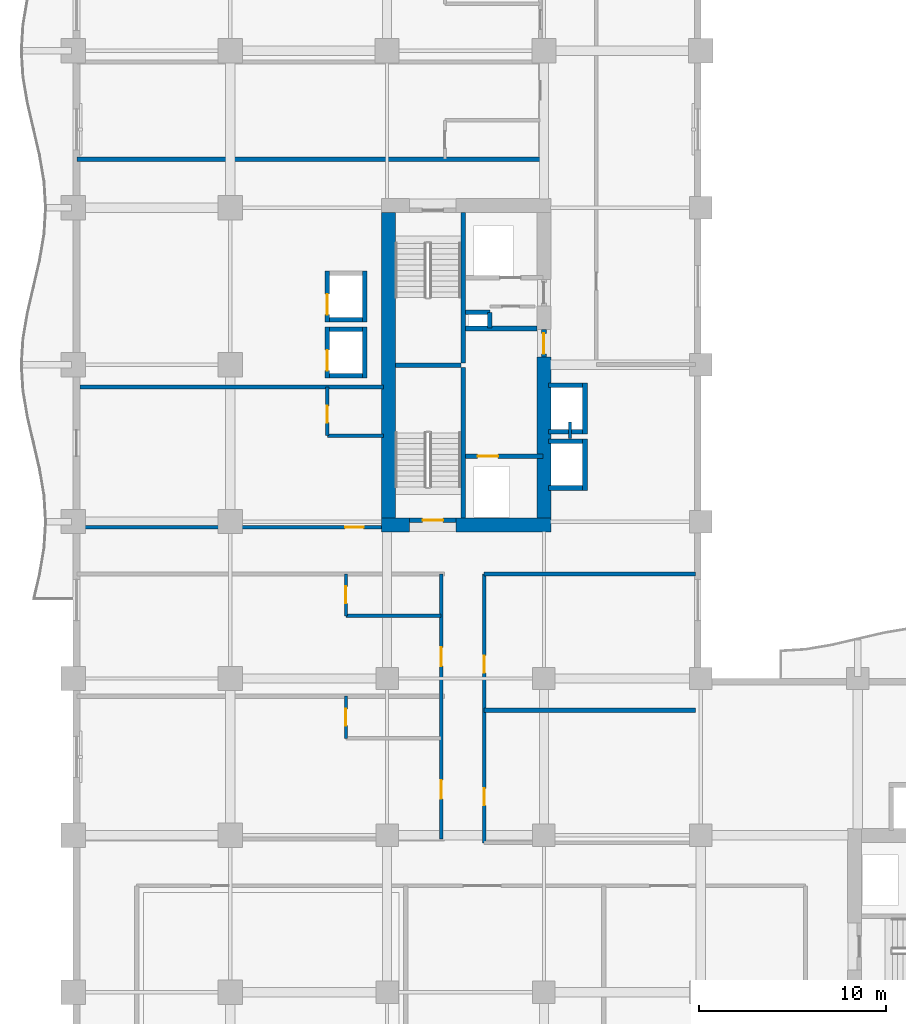
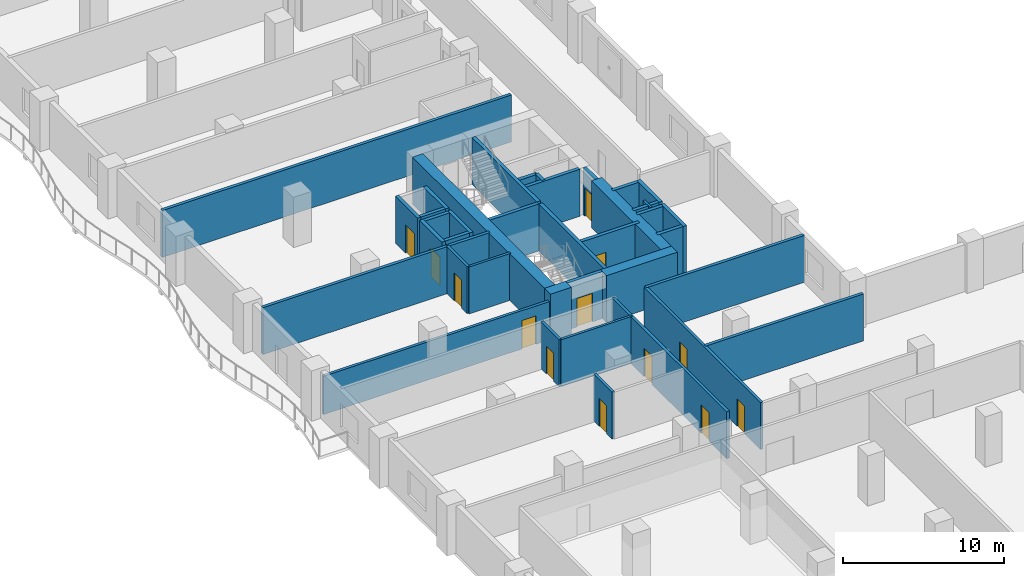
# One storey, part 12 of 24: 39 walls, 13 doors, 13 openings.
"""IFC4 building model written with IfcOpenShell, lengths in metres."""

import ifcopenshell
import ifcopenshell.guid

model = None  # the IFC model being written
_history = None  # IfcOwnerHistory: only IFC2X3 demands one
_inside = {}  # id of a spatial element -> (the spatial element, [elements in it])
_under = {}  # id of a project, library or spatial element -> (it, [spatial elements below it])
_declared = {}  # id of a project -> (the project, [libraries it declares])
_typed = {}  # id of a type object -> (the type object, [elements of that type])
_made_of = {}  # id of a material, layer set ... -> (it, [elements and type objects made of it])


def new_model(schema):
    """Start an empty IFC model of exactly this schema.

    Asked for "IFC4X3", IfcOpenShell would pick the latest addendum, in which some entities
    have other attributes; the version numbers below select the first issue.
    IFC2X3 requires an IfcOwnerHistory on every rooted entity: one is made here for all.
    """
    global model, _history
    if schema == "IFC4X3":
        model = ifcopenshell.file(schema_version=(4, 3, 0, 0))
    else:
        model = ifcopenshell.file(schema=schema)
    _inside.clear()
    _under.clear()
    _declared.clear()
    _typed.clear()
    _made_of.clear()
    _history = None
    if model.schema == "IFC2X3":
        org = make("IfcOrganization", Name="unknown")
        user = make(
            "IfcPersonAndOrganization",
            ThePerson=make("IfcPerson", FamilyName="unknown"),
            TheOrganization=org,
        )
        app = make(
            "IfcApplication",
            ApplicationDeveloper=org,
            Version="unknown",
            ApplicationFullName="unknown",
            ApplicationIdentifier="unknown",
        )
        _history = make(
            "IfcOwnerHistory",
            OwningUser=user,
            OwningApplication=app,
            ChangeAction="ADDED",
            CreationDate=0,
        )
    return model


def make(cls, **values):
    """One entity of the class cls with the attributes given. An attribute that is None is left unset."""
    return model.create_entity(
        cls, **{name: value for name, value in values.items() if value is not None}
    )


def rooted(cls, **values):
    """An entity with a GlobalId (a new one), such as an element, a storey or a relation."""
    return make(cls, GlobalId=ifcopenshell.guid.new(), OwnerHistory=_history, **values)


def si_unit(unit_type, name, prefix=None):
    """IfcSIUnit, for example si_unit("LENGTHUNIT", "METRE", prefix="MILLI")."""
    return make("IfcSIUnit", UnitType=unit_type, Prefix=prefix, Name=name)


def assignment(units):
    """IfcUnitAssignment: the units of a project."""
    return None if units is None else make("IfcUnitAssignment", Units=units)


def point(xyz):
    """IfcCartesianPoint."""
    return None if xyz is None else make("IfcCartesianPoint", Coordinates=xyz)


def direction(xyz):
    """IfcDirection."""
    return None if xyz is None else make("IfcDirection", DirectionRatios=xyz)


def frame(location, z_axis=None, x_axis=None):
    """IfcAxis2Placement3D, a coordinate frame: its origin and axes. An axis left out is left unset."""
    return make(
        "IfcAxis2Placement3D",
        Location=point(location),
        Axis=direction(z_axis),
        RefDirection=direction(x_axis),
    )


def frame_2d(location, x_axis=None):
    """IfcAxis2Placement2D, a coordinate frame in the plane: its origin and x axis."""
    return make(
        "IfcAxis2Placement2D", Location=point(location), RefDirection=direction(x_axis)
    )


def origin():
    """The frame at (0, 0, 0) with its axes left unset."""
    return frame((0.0, 0.0, 0.0))


def place(relative_to, where):
    """IfcLocalPlacement: puts the frame where relative to a parent placement (None: the world)."""
    return make(
        "IfcLocalPlacement", PlacementRelTo=relative_to, RelativePlacement=where
    )


def context(
    kind, dimensions, precision=None, world=None, true_north=None, identifier=None
):
    """IfcGeometricRepresentationContext, for example the 3D "Model" context."""
    return make(
        "IfcGeometricRepresentationContext",
        ContextIdentifier=identifier,
        ContextType=kind,
        CoordinateSpaceDimension=dimensions,
        Precision=precision,
        WorldCoordinateSystem=world,
        TrueNorth=true_north,
    )


def subcontext(parent, identifier, kind, view, scale=None):
    """IfcGeometricRepresentationSubContext, for example "Body" below "Model"."""
    return make(
        "IfcGeometricRepresentationSubContext",
        ContextIdentifier=identifier,
        ContextType=kind,
        ParentContext=parent,
        TargetScale=scale,
        TargetView=view,
    )


def project(units=None, contexts=None):
    """IfcProject with its units and contexts."""
    return rooted(
        "IfcProject",
        Name="project",
        RepresentationContexts=contexts,
        UnitsInContext=assignment(units),
    )


def spatial(cls, under=None, at=None, **own):
    """A site, building, storey or space (cls), placed at a placement, below another one or the project."""
    s = rooted(cls, ObjectPlacement=at, **own)
    if under is not None:
        _under.setdefault(under.id(), (under, []))[1].append(s)
    return s


def profile(cls, at=None, kind="AREA", **sizes):
    """A parametric profile (cls). Its sizes go by their IFC names, for example OverallWidth=200.0."""
    return make(cls, ProfileType=kind, Position=at, **sizes)


def rectangle(**sizes):
    """IfcRectangleProfileDef."""
    return profile("IfcRectangleProfileDef", **sizes)


def extrude(swept, where, along, depth):
    """IfcExtrudedAreaSolid: the profile swept, set in the frame where, extruded along a direction by depth."""
    return make(
        "IfcExtrudedAreaSolid",
        SweptArea=swept,
        Position=where,
        ExtrudedDirection=direction(along),
        Depth=depth,
    )


def shape(context_of_items, identifier, shape_type, items):
    """IfcShapeRepresentation: the items that make up one representation, for example the "Body"."""
    return make(
        "IfcShapeRepresentation",
        ContextOfItems=context_of_items,
        RepresentationIdentifier=identifier,
        RepresentationType=shape_type,
        Items=items,
    )


def material(Name=None, Category=None):
    """IfcMaterial."""
    return make("IfcMaterial", Name=Name, Category=Category)


def layer(
    of_material, thickness, ventilated=None, Name=None, Category=None, Priority=None
):
    """IfcMaterialLayer: one layer of a wall or slab, of a material (None: an air gap)."""
    return make(
        "IfcMaterialLayer",
        Material=of_material,
        LayerThickness=thickness,
        IsVentilated=ventilated,
        Name=Name,
        Category=Category,
        Priority=Priority,
    )


def layer_set(layers, Name=None):
    """IfcMaterialLayerSet."""
    return make("IfcMaterialLayerSet", MaterialLayers=layers, LayerSetName=Name)


def made_of(thing, what):
    """Note that an element or type object is made of a material, layer set ...; save() writes the relation."""
    if what is not None:
        _made_of.setdefault(what.id(), (what, []))[1].append(thing)
    return thing


def type_object(cls, material=None, **own):
    """A type object (cls), such as IfcWallType, which elements share."""
    return made_of(rooted(cls, **own), material)


def element(
    cls,
    number,
    at=None,
    inside=None,
    cuts=None,
    type_object=None,
    material=None,
    context=None,
    identifier="Body",
    shape_type=None,
    held_by="IfcProductDefinitionShape",
    body=None,
    shapes=None,
    **own,
):
    """One element of the class cls, such as IfcWall. Its Tag is "e" and its number.

    at: its placement. inside: the storey or other place that contains it. cuts: it is an
    opening in that element (IfcRelVoidsElement). A single representation is given by context,
    identifier, shape_type and body (its items); several are given by shapes. held_by: the class
    of the entity that holds the representations. save() writes the other relations.
    """
    e = rooted(cls, Tag="e%d" % number, ObjectPlacement=at, **own)
    if body is not None:
        shapes = [shape(context, identifier, shape_type, body)]
    if shapes is not None:
        e.Representation = make(held_by, Representations=shapes)
    if inside is not None:
        _inside.setdefault(inside.id(), (inside, []))[1].append(e)
    if cuts is not None:
        rooted(
            "IfcRelVoidsElement", RelatingBuildingElement=cuts, RelatedOpeningElement=e
        )
    if type_object is not None:
        _typed.setdefault(type_object.id(), (type_object, []))[1].append(e)
    return made_of(e, material)


def fill(opening, filler):
    """IfcRelFillsElement: the door or window that sits in an opening."""
    return rooted(
        "IfcRelFillsElement",
        RelatingOpeningElement=opening,
        RelatedBuildingElement=filler,
    )


def aggregate(whole, parts):
    """IfcRelAggregates: a whole, such as a stair, and the parts it consists of."""
    return rooted("IfcRelAggregates", RelatingObject=whole, RelatedObjects=parts)


def save(model, path):
    """Write the relations noted so far, then the file.

    IfcRelAggregates (storeys below a building ...), IfcRelContainedInSpatialStructure (elements
    in a storey), IfcRelDefinesByType, IfcRelAssociatesMaterial and IfcRelDeclares: one each for
    every whole, place, type object, material and project.
    """
    for whole, parts in _under.values():
        aggregate(whole, parts)
    for where, things in _inside.values():
        rooted(
            "IfcRelContainedInSpatialStructure",
            RelatedElements=things,
            RelatingStructure=where,
        )
    for kind, things in _typed.values():
        rooted("IfcRelDefinesByType", RelatedObjects=things, RelatingType=kind)
    for what, things in _made_of.values():
        rooted("IfcRelAssociatesMaterial", RelatedObjects=things, RelatingMaterial=what)
    for by, libraries in _declared.values():
        rooted("IfcRelDeclares", RelatingContext=by, RelatedDefinitions=libraries)
    model.write(path)


model = new_model("IFC4")

# Units and contexts
model_context = context("Model", 3, precision=1e-05, world=origin(), true_north=direction((0.0, 1.0)))
body_context = subcontext(model_context, "Body", "Model", "MODEL_VIEW")
ifc_project = project(units=[si_unit("LENGTHUNIT", "METRE"), si_unit("AREAUNIT", "SQUARE_METRE"), si_unit("VOLUMEUNIT", "CUBIC_METRE"), si_unit("PLANEANGLEUNIT", "RADIAN"), si_unit("MASSUNIT", "GRAM", prefix="KILO")], contexts=[model_context])

# Site, building, storey
site_placement = place(None, origin())
site = spatial("IfcSite", under=ifc_project, at=site_placement, CompositionType="ELEMENT")
building_placement = place(site_placement, origin())
building = spatial("IfcBuilding", under=site, at=building_placement, Name="Koriwani Terraces Tower", CompositionType="ELEMENT")
storey_placement = place(building_placement, frame((0.0, 0.0, 149.39990234375)))
storey = spatial("IfcBuildingStorey", under=building, at=storey_placement, Name="L36", CompositionType="ELEMENT", Elevation=149.39990234375)

# Walls
ifc_material_1 = material(Name="Concrete C60/75", Category="concrete")
ifc_layer_1 = layer(ifc_material_1, 0.75, Name="Concrete C60/75")
ifc_layer_set_1 = layer_set([ifc_layer_1], Name="Concrete C60/75")
wall_type_1 = type_object("IfcWallType", Name="WALL_CORE_RC_750", PredefinedType="SHEAR", material=ifc_layer_set_1)
wall_1_placement = place(storey_placement, frame((16.5, 41.824951171875, 0.0), z_axis=(0.0, 0.0, 1.0), x_axis=(1.0, 0.0, 0.0)))
element("IfcWall", 1, at=wall_1_placement, inside=storey, type_object=wall_type_1, Name="L36 West Split Core Shear Wall S1", PredefinedType="SHEAR", context=body_context, shape_type="SweptSolid", body=[
    extrude(rectangle(XDim=1.5, YDim=0.75, at=frame_2d((0.75, 0.0))), origin(), (0.0, 0.0, 1.0), 3.550048828125),
])
wall_2_placement = place(storey_placement, frame((20.5, 41.824951171875, 0.0), z_axis=(0.0, 0.0, 1.0), x_axis=(1.0, 0.0, 0.0)))
element("IfcWall", 2, at=wall_2_placement, inside=storey, type_object=wall_type_1, Name="L36 West Split Core Shear Wall S2", PredefinedType="SHEAR", context=body_context, shape_type="SweptSolid", body=[
    extrude(rectangle(XDim=5.074951171875, YDim=0.75, at=frame_2d((2.53759765625, 0.0))), origin(), (0.0, 0.0, 1.0), 3.550048828125),
])
wall_3_placement = place(storey_placement, frame((16.875, 42.199951171875, 0.0), z_axis=(0.0, 0.0, 1.0), x_axis=(0.0, 1.0, 0.0)))
element("IfcWall", 3, at=wall_3_placement, inside=storey, type_object=wall_type_1, Name="L36 West Split Core Shear Wall W1", PredefinedType="SHEAR", context=body_context, shape_type="SweptSolid", body=[
    extrude(rectangle(XDim=16.35009765625, YDim=0.75, at=frame_2d((8.175048828125, 0.0))), origin(), (0.0, 0.0, 1.0), 3.550048828125),
])
wall_4_placement = place(storey_placement, frame((25.199951171875, 42.199951171875, 0.0), z_axis=(0.0, 0.0, 1.0), x_axis=(0.0, 1.0, 0.0)))
element("IfcWall", 4, at=wall_4_placement, inside=storey, type_object=wall_type_1, Name="L36 West Split Core Shear Wall E1", PredefinedType="SHEAR", context=body_context, shape_type="SweptSolid", body=[
    extrude(rectangle(XDim=8.60009765625, YDim=0.75, at=frame_2d((4.300048828125, 0.0))), origin(), (0.0, 0.0, 1.0), 3.550048828125),
])

# Wall, opening, door
ifc_material_2 = material(Name="Autoclaved Cellular Concrete Blockwork", Category="masonry")
ifc_layer_2 = layer(ifc_material_2, 0.199951171875, Name="Autoclaved Cellular Concrete Blockwork")
ifc_layer_set_2 = layer_set([ifc_layer_2], Name="Autoclaved Cellular Concrete Blockwork")
wall_type_2 = type_object("IfcWallType", Name="WALL_CORRIDOR_200", PredefinedType="PARTITIONING", material=ifc_layer_set_2)
wall_5_placement = place(storey_placement, frame((0.35009765625, 41.699951171875, 0.0), z_axis=(0.0, 0.0, 1.0), x_axis=(1.0, 0.0, 0.0)))
wall_5 = element("IfcWall", 5, at=wall_5_placement, inside=storey, type_object=wall_type_2, Name="L36 Interior Wall WREC-WS-L36", PredefinedType="PARTITIONING", context=body_context, shape_type="SweptSolid", body=[
    extrude(rectangle(XDim=16.25, YDim=0.199951171875, at=frame_2d((8.125, 0.0))), origin(), (0.0, 0.0, 1.0), 2.900146484375),
])
opening_1_placement = place(wall_5_placement, frame((14.199951171875, 0.0, 0.0)))
opening_1 = element("IfcOpeningElement", 6, at=opening_1_placement, cuts=wall_5, Name="Opening D-05", PredefinedType="OPENING", context=body_context, shape_type="SweptSolid", body=[
    extrude(rectangle(XDim=1.0, YDim=2.14990234375, at=frame_2d((0.5, 1.074951171875))), frame((0.0, 0.10986328125, 0.0), z_axis=(0.0, -1.0, 0.0), x_axis=(1.0, 0.0, 0.0)), (0.0, 0.0, 1.0), 0.219970703125),
])
ifc_material_3 = material(Name="Architectural Oak Fire Door", Category="wood")
door_type_1 = type_object("IfcDoorType", Name="DOOR_SUITE_ENTRY_1000X2150", OperationType="NOTDEFINED", PredefinedType="DOOR", material=ifc_material_3)
door_1_placement = place(opening_1_placement, origin())
door_1 = element("IfcDoor", 7, at=door_1_placement, inside=storey, type_object=door_type_1, Name="L36 Reclaimed West Suite Door", OperationType="SINGLE_SWING_RIGHT", OverallHeight=2.14990234375, OverallWidth=1.0, PredefinedType="DOOR", context=body_context, shape_type="SweptSolid", body=[
    extrude(rectangle(XDim=1.0, YDim=2.14990234375, at=frame_2d((0.5, 1.074951171875))), frame((0.0, 0.02490234375, 0.0), z_axis=(0.0, -1.0, 0.0), x_axis=(1.0, 0.0, 0.0)), (0.0, 0.0, 1.0), 0.050048828125),
])
fill(opening_1, door_1)

# Wall, openings, doors
wall_6_placement = place(storey_placement, frame((22.0, 24.800048828125, 0.0), z_axis=(0.0, 0.0, 1.0), x_axis=(0.0, 1.0, 0.0)))
wall_6 = element("IfcWall", 8, at=wall_6_placement, inside=storey, type_object=wall_type_2, Name="L36 Interior Wall WIC2-W-L36", PredefinedType="PARTITIONING", context=body_context, shape_type="SweptSolid", body=[
    extrude(rectangle(XDim=14.39990234375, YDim=0.199951171875, at=frame_2d((7.199951171875, 0.0))), origin(), (0.0, 0.0, 1.0), 3.550048828125),
])
opening_2_placement = place(wall_6_placement, frame((2.0, 0.0, 0.0)))
opening_2 = element("IfcOpeningElement", 9, at=opening_2_placement, cuts=wall_6, Name="Opening D-06", PredefinedType="OPENING", context=body_context, shape_type="SweptSolid", body=[
    extrude(rectangle(XDim=0.919921875, YDim=2.10009765625, at=frame_2d((0.4599609375, 1.050048828125))), frame((0.0, 0.10986328125, 0.0), z_axis=(0.0, -1.0, 0.0), x_axis=(1.0, 0.0, 0.0)), (0.0, 0.0, 1.0), 0.219970703125),
])
opening_3_placement = place(wall_6_placement, frame((9.10009765625, 0.0, 0.0)))
opening_3 = element("IfcOpeningElement", 10, at=opening_3_placement, cuts=wall_6, Name="Opening D-06", PredefinedType="OPENING", context=body_context, shape_type="SweptSolid", body=[
    extrude(rectangle(XDim=0.919921875, YDim=2.10009765625, at=frame_2d((0.4599609375, 1.050048828125))), frame((0.0, 0.10986328125, 0.0), z_axis=(0.0, -1.0, 0.0), x_axis=(1.0, 0.0, 0.0)), (0.0, 0.0, 1.0), 0.219970703125),
])
door_type_2 = type_object("IfcDoorType", Name="DOOR_ROOM_INT_920X2100", OperationType="NOTDEFINED", PredefinedType="DOOR", material=ifc_material_3)
door_2_placement = place(opening_2_placement, origin())
door_2 = element("IfcDoor", 11, at=door_2_placement, inside=storey, type_object=door_type_2, Name="L36 Inner Court Salon Door", OperationType="SINGLE_SWING_RIGHT", OverallHeight=2.10009765625, OverallWidth=0.919921875, PredefinedType="DOOR", context=body_context, shape_type="SweptSolid", body=[
    extrude(rectangle(XDim=0.919921875, YDim=2.10009765625, at=frame_2d((0.4599609375, 1.050048828125))), frame((0.0, 0.02490234375, 0.0), z_axis=(0.0, -1.0, 0.0), x_axis=(1.0, 0.0, 0.0)), (0.0, 0.0, 1.0), 0.050048828125),
])
fill(opening_2, door_2)
door_3_placement = place(opening_3_placement, origin())
door_3 = element("IfcDoor", 12, at=door_3_placement, inside=storey, type_object=door_type_2, Name="L36 Inner Court Media Room Door", OperationType="SINGLE_SWING_LEFT", OverallHeight=2.10009765625, OverallWidth=0.919921875, PredefinedType="DOOR", context=body_context, shape_type="SweptSolid", body=[
    extrude(rectangle(XDim=0.919921875, YDim=2.10009765625, at=frame_2d((0.4599609375, 1.050048828125))), frame((0.0, 0.02490234375, 0.0), z_axis=(0.0, -1.0, 0.0), x_axis=(1.0, 0.0, 0.0)), (0.0, 0.0, 1.0), 0.050048828125),
])
fill(opening_3, door_3)

wall_7_placement = place(storey_placement, frame((19.699951171875, 25.0, 0.0), z_axis=(0.0, 0.0, 1.0), x_axis=(0.0, 1.0, 0.0)))
wall_7 = element("IfcWall", 13, at=wall_7_placement, inside=storey, type_object=wall_type_2, Name="L36 Interior Wall WCOR-L36-NW-0", PredefinedType="PARTITIONING", context=body_context, shape_type="SweptSolid", body=[
    extrude(rectangle(XDim=14.199951171875, YDim=0.199951171875, at=frame_2d((7.10009765625, 0.0))), origin(), (0.0, 0.0, 1.0), 3.550048828125),
])
opening_4_placement = place(wall_7_placement, frame((2.159912109375, 0.0, 0.0)))
opening_4 = element("IfcOpeningElement", 14, at=opening_4_placement, cuts=wall_7, Name="Opening D-05", PredefinedType="OPENING", context=body_context, shape_type="SweptSolid", body=[
    extrude(rectangle(XDim=1.0, YDim=2.14990234375, at=frame_2d((0.5, 1.074951171875))), frame((0.0, 0.10986328125, 0.0), z_axis=(0.0, -1.0, 0.0), x_axis=(1.0, 0.0, 0.0)), (0.0, 0.0, 1.0), 0.219970703125),
])
opening_5_placement = place(wall_7_placement, frame((9.260009765625, 0.0, 0.0)))
opening_5 = element("IfcOpeningElement", 15, at=opening_5_placement, cuts=wall_7, Name="Opening D-05", PredefinedType="OPENING", context=body_context, shape_type="SweptSolid", body=[
    extrude(rectangle(XDim=1.0, YDim=2.14990234375, at=frame_2d((0.5, 1.074951171875))), frame((0.0, 0.10986328125, 0.0), z_axis=(0.0, -1.0, 0.0), x_axis=(1.0, 0.0, 0.0)), (0.0, 0.0, 1.0), 0.219970703125),
])
door_4_placement = place(opening_4_placement, origin())
door_4 = element("IfcDoor", 16, at=door_4_placement, inside=storey, type_object=door_type_1, Name="Luxury Hotel Suite 36NW1 Entrance Door", OperationType="SINGLE_SWING_LEFT", OverallHeight=2.14990234375, OverallWidth=1.0, PredefinedType="DOOR", context=body_context, shape_type="SweptSolid", body=[
    extrude(rectangle(XDim=1.0, YDim=2.14990234375, at=frame_2d((0.5, 1.074951171875))), frame((0.0, 0.02490234375, 0.0), z_axis=(0.0, -1.0, 0.0), x_axis=(1.0, 0.0, 0.0)), (0.0, 0.0, 1.0), 0.050048828125),
])
fill(opening_4, door_4)
door_5_placement = place(opening_5_placement, origin())
door_5 = element("IfcDoor", 17, at=door_5_placement, inside=storey, type_object=door_type_1, Name="Luxury Hotel Suite 36NW2 Entrance Door", OperationType="SINGLE_SWING_LEFT", OverallHeight=2.14990234375, OverallWidth=1.0, PredefinedType="DOOR", context=body_context, shape_type="SweptSolid", body=[
    extrude(rectangle(XDim=1.0, YDim=2.14990234375, at=frame_2d((0.5, 1.074951171875))), frame((0.0, 0.02490234375, 0.0), z_axis=(0.0, -1.0, 0.0), x_axis=(1.0, 0.0, 0.0)), (0.0, 0.0, 1.0), 0.050048828125),
])
fill(opening_5, door_5)

# Walls
ifc_layer_3 = layer(ifc_material_2, 0.219970703125, Name="Autoclaved Cellular Concrete Blockwork")
ifc_layer_set_3 = layer_set([ifc_layer_3], Name="Autoclaved Cellular Concrete Blockwork")
wall_type_3 = type_object("IfcWallType", Name="WALL_DEMISING_220", PredefinedType="PARTITIONING", material=ifc_layer_set_3)
wall_8_placement = place(storey_placement, frame((0.35009765625, 49.199951171875, 0.0), z_axis=(0.0, 0.0, 1.0), x_axis=(1.0, 0.0, 0.0)))
element("IfcWall", 18, at=wall_8_placement, inside=storey, type_object=wall_type_3, Name="L36 Interior Wall WREC-WN-L36", PredefinedType="PARTITIONING", context=body_context, shape_type="SweptSolid", body=[
    extrude(rectangle(XDim=16.25, YDim=0.219970703125, at=frame_2d((8.125, 0.0))), origin(), (0.0, 0.0, 1.0), 3.550048828125),
])
for number, where, z_axis, x_axis, name in (
    (19, (22.0, 31.89990234375, 0.0), (0.0, 0.0, 1.0), (1.0, 0.0, 0.0), "L36 Interior Wall WIC2-M-L36"),
    (20, (22.0, 39.199951171875, 0.0), (0.0, 0.0, 1.0), (1.0, 0.0, 0.0), "L36 Interior Wall WIC2-N-L36"),
):
    element("IfcWall", number, at=place(storey_placement, frame(where, z_axis=z_axis, x_axis=x_axis)), inside=storey, type_object=wall_type_3, Name=name, PredefinedType="PARTITIONING", context=body_context, shape_type="SweptSolid", body=[
        extrude(rectangle(XDim=11.300048828125, YDim=0.219970703125, at=frame_2d((5.64990234375, 0.0))), origin(), (0.0, 0.0, 1.0), 3.550048828125),
    ])
wall_9_placement = place(storey_placement, frame((0.199951171875, 61.39990234375, 0.0), z_axis=(0.0, 0.0, 1.0), x_axis=(1.0, 0.0, 0.0)))
element("IfcWall", 21, at=wall_9_placement, inside=storey, type_object=wall_type_3, Name="L36 Interior Wall WDEM-L36-NE-0", PredefinedType="PARTITIONING", context=body_context, shape_type="SweptSolid", body=[
    extrude(rectangle(XDim=24.97998046875, YDim=0.219970703125, at=frame_2d((12.489990234375, 0.0))), origin(), (0.0, 0.0, 1.0), 3.550048828125),
])
ifc_material_4 = material(Name="Fire-Rated Acoustic Gypsum Partition", Category="masonry")
ifc_layer_4 = layer(ifc_material_4, 0.179931640625, Name="Fire-Rated Acoustic Gypsum Partition")
ifc_layer_set_4 = layer_set([ifc_layer_4], Name="Fire-Rated Acoustic Gypsum Partition")
wall_type_4 = type_object("IfcWallType", Name="WALL_PLUMBING_180", PredefinedType="PLUMBINGWALL", material=ifc_layer_set_4)
wall_10_placement = place(storey_placement, frame((13.60009765625, 46.60009765625, 0.0), z_axis=(0.0, 0.0, 1.0), x_axis=(1.0, 0.0, 0.0)))
element("IfcWall", 22, at=wall_10_placement, inside=storey, type_object=wall_type_4, Name="L36 Interior Wall WREC-WB1-L36", PredefinedType="PLUMBINGWALL", context=body_context, shape_type="SweptSolid", body=[
    extrude(rectangle(XDim=3.0, YDim=0.179931640625, at=frame_2d((1.5, 0.0))), origin(), (0.0, 0.0, 1.0), 3.550048828125),
])

# Wall, opening, door
wall_11_placement = place(storey_placement, frame((13.60009765625, 46.60009765625, 0.0), z_axis=(0.0, 0.0, 1.0), x_axis=(0.0, 1.0, 0.0)))
wall_11 = element("IfcWall", 23, at=wall_11_placement, inside=storey, type_object=wall_type_4, Name="L36 Interior Wall WREC-WB2-L36", PredefinedType="PLUMBINGWALL", context=body_context, shape_type="SweptSolid", body=[
    extrude(rectangle(XDim=2.599853515625, YDim=0.179931640625, at=frame_2d((1.2998046875, 0.0))), origin(), (0.0, 0.0, 1.0), 3.550048828125),
])
opening_6_placement = place(wall_11_placement, frame((0.699951171875, 0.0, 0.0)))
opening_6 = element("IfcOpeningElement", 24, at=opening_6_placement, cuts=wall_11, Name="Opening D-07", PredefinedType="OPENING", context=body_context, shape_type="SweptSolid", body=[
    extrude(rectangle(XDim=0.89990234375, YDim=2.10009765625, at=frame_2d((0.449951171875, 1.050048828125))), frame((0.0, 0.10009765625, 0.0), z_axis=(0.0, -1.0, 0.0), x_axis=(1.0, 0.0, 0.0)), (0.0, 0.0, 1.0), 0.199951171875),
])
door_type_3 = type_object("IfcDoorType", Name="DOOR_BATH_INT_900X2100", OperationType="NOTDEFINED", PredefinedType="DOOR", material=ifc_material_3)
door_6_placement = place(opening_6_placement, origin())
door_6 = element("IfcDoor", 25, at=door_6_placement, inside=storey, type_object=door_type_3, Name="L36 Reclaimed Suite En-Suite Door", OperationType="SINGLE_SWING_LEFT", OverallHeight=2.10009765625, OverallWidth=0.89990234375, PredefinedType="DOOR", context=body_context, shape_type="SweptSolid", body=[
    extrude(rectangle(XDim=0.89990234375, YDim=2.10009765625, at=frame_2d((0.449951171875, 1.050048828125))), frame((0.0, 0.02490234375, 0.0), z_axis=(0.0, -1.0, 0.0), x_axis=(1.0, 0.0, 0.0)), (0.0, 0.0, 1.0), 0.050048828125),
])
fill(opening_6, door_6)

wall_12_placement = place(storey_placement, frame((14.60009765625, 30.39990234375, 0.0), z_axis=(0.0, 0.0, 1.0), x_axis=(0.0, 1.0, 0.0)))
wall_12 = element("IfcWall", 26, at=wall_12_placement, inside=storey, type_object=wall_type_4, Name="L36 Interior Wall WBTH1-L36-NW-0", PredefinedType="PLUMBINGWALL", context=body_context, shape_type="SweptSolid", body=[
    extrude(rectangle(XDim=2.25, YDim=0.179931640625, at=frame_2d((1.125, 0.0))), origin(), (0.0, 0.0, 1.0), 3.550048828125),
])
opening_7_placement = place(wall_12_placement, frame((0.675048828125, 0.0, 0.0)))
opening_7 = element("IfcOpeningElement", 27, at=opening_7_placement, cuts=wall_12, Name="Opening D-07", PredefinedType="OPENING", context=body_context, shape_type="SweptSolid", body=[
    extrude(rectangle(XDim=0.89990234375, YDim=2.10009765625, at=frame_2d((0.449951171875, 1.050048828125))), frame((0.0, 0.10009765625, 0.0), z_axis=(0.0, -1.0, 0.0), x_axis=(1.0, 0.0, 0.0)), (0.0, 0.0, 1.0), 0.199951171875),
])
door_7_placement = place(opening_7_placement, origin())
door_7 = element("IfcDoor", 28, at=door_7_placement, inside=storey, type_object=door_type_3, Name="En-Suite Bathroom 36NW1 Door", OperationType="SINGLE_SWING_RIGHT", OverallHeight=2.10009765625, OverallWidth=0.89990234375, PredefinedType="DOOR", context=body_context, shape_type="SweptSolid", body=[
    extrude(rectangle(XDim=0.89990234375, YDim=2.10009765625, at=frame_2d((0.449951171875, 1.050048828125))), frame((0.0, 0.02490234375, 0.0), z_axis=(0.0, -1.0, 0.0), x_axis=(1.0, 0.0, 0.0)), (0.0, 0.0, 1.0), 0.050048828125),
])
fill(opening_7, door_7)

wall_13_placement = place(storey_placement, frame((14.60009765625, 36.949951171875, 0.0), z_axis=(0.0, 0.0, 1.0), x_axis=(0.0, 1.0, 0.0)))
wall_13 = element("IfcWall", 29, at=wall_13_placement, inside=storey, type_object=wall_type_4, Name="L36 Interior Wall WBTH1-L36-NW-1", PredefinedType="PLUMBINGWALL", context=body_context, shape_type="SweptSolid", body=[
    extrude(rectangle(XDim=2.25, YDim=0.179931640625, at=frame_2d((1.125, 0.0))), origin(), (0.0, 0.0, 1.0), 3.550048828125),
])
opening_8_placement = place(wall_13_placement, frame((0.675048828125, 0.0, 0.0)))
opening_8 = element("IfcOpeningElement", 30, at=opening_8_placement, cuts=wall_13, Name="Opening D-07", PredefinedType="OPENING", context=body_context, shape_type="SweptSolid", body=[
    extrude(rectangle(XDim=0.89990234375, YDim=2.10009765625, at=frame_2d((0.449951171875, 1.050048828125))), frame((0.0, 0.10009765625, 0.0), z_axis=(0.0, -1.0, 0.0), x_axis=(1.0, 0.0, 0.0)), (0.0, 0.0, 1.0), 0.199951171875),
])
door_8_placement = place(opening_8_placement, origin())
door_8 = element("IfcDoor", 31, at=door_8_placement, inside=storey, type_object=door_type_3, Name="En-Suite Bathroom 36NW2 Door", OperationType="SINGLE_SWING_RIGHT", OverallHeight=2.10009765625, OverallWidth=0.89990234375, PredefinedType="DOOR", context=body_context, shape_type="SweptSolid", body=[
    extrude(rectangle(XDim=0.89990234375, YDim=2.10009765625, at=frame_2d((0.449951171875, 1.050048828125))), frame((0.0, 0.02490234375, 0.0), z_axis=(0.0, -1.0, 0.0), x_axis=(1.0, 0.0, 0.0)), (0.0, 0.0, 1.0), 0.050048828125),
])
fill(opening_8, door_8)

# Walls
wall_14_placement = place(storey_placement, frame((14.60009765625, 36.949951171875, 0.0), z_axis=(0.0, 0.0, 1.0), x_axis=(1.0, 0.0, 0.0)))
element("IfcWall", 32, at=wall_14_placement, inside=storey, type_object=wall_type_4, Name="L36 Interior Wall WBTH2-L36-NW-1", PredefinedType="PLUMBINGWALL", context=body_context, shape_type="SweptSolid", body=[
    extrude(rectangle(XDim=5.099853515625, YDim=0.179931640625, at=frame_2d((2.5498046875, 0.0))), origin(), (0.0, 0.0, 1.0), 3.550048828125),
])
ifc_material_5 = material(Name="Concrete C40/50", Category="concrete")
ifc_layer_5 = layer(ifc_material_5, 0.25, Name="Concrete C40/50")
ifc_layer_set_5 = layer_set([ifc_layer_5], Name="Concrete C40/50")
wall_type_5 = type_object("IfcWallType", Name="WALL_SHAFT_RATED_250", PredefinedType="SOLIDWALL", material=ifc_layer_set_5)
for number, where, z_axis, x_axis, name in (
    (33, (20.875, 42.199951171875, 0.0), (0.0, 0.0, 1.0), (0.0, 1.0, 0.0), "L36 West Split Core Web Wall MID1"),
    (34, (20.875, 50.5, 0.0), (0.0, 0.0, 1.0), (0.0, 1.0, 0.0), "L36 West Split Core Web Wall MID2"),
):
    element("IfcWall", number, at=place(storey_placement, frame(where, z_axis=z_axis, x_axis=x_axis)), inside=storey, type_object=wall_type_5, Name=name, PredefinedType="SOLIDWALL", context=body_context, shape_type="SweptSolid", body=[
        extrude(rectangle(XDim=8.050048828125, YDim=0.25, at=frame_2d((4.02490234375, 0.0))), origin(), (0.0, 0.0, 1.0), 3.550048828125),
    ])
wall_15_placement = place(storey_placement, frame((17.25, 50.375, 0.0), z_axis=(0.0, 0.0, 1.0), x_axis=(1.0, 0.0, 0.0)))
element("IfcWall", 35, at=wall_15_placement, inside=storey, type_object=wall_type_5, Name="L36 West Split Core Stair Dividing Wall", PredefinedType="SOLIDWALL", context=body_context, shape_type="SweptSolid", body=[
    extrude(rectangle(XDim=3.5, YDim=0.25, at=frame_2d((1.75, 0.0))), origin(), (0.0, 0.0, 1.0), 3.550048828125),
])

# Wall, opening, door
wall_16_placement = place(storey_placement, frame((18.0, 42.074951171875, 0.0), z_axis=(0.0, 0.0, 1.0), x_axis=(1.0, 0.0, 0.0)))
wall_16 = element("IfcWall", 36, at=wall_16_placement, inside=storey, type_object=wall_type_5, Name="L36 Interior Wall WIN-CW-L36-STS", PredefinedType="SOLIDWALL", context=body_context, shape_type="SweptSolid", body=[
    extrude(rectangle(XDim=2.5, YDim=0.25, at=frame_2d((1.25, 0.0))), origin(), (0.0, 0.0, 1.0), 3.550048828125),
])
opening_9_placement = place(wall_16_placement, frame((0.699951171875, 0.0, 0.0)))
opening_9 = element("IfcOpeningElement", 37, at=opening_9_placement, cuts=wall_16, Name="Opening D-03", PredefinedType="OPENING", context=body_context, shape_type="SweptSolid", body=[
    extrude(rectangle(XDim=1.10009765625, YDim=2.14990234375, at=frame_2d((0.550048828125, 1.074951171875))), frame((0.0, 0.135009765625, 0.0), z_axis=(0.0, -1.0, 0.0), x_axis=(1.0, 0.0, 0.0)), (0.0, 0.0, 1.0), 0.27001953125),
])
ifc_material_6 = material(Name="Steel ASTM A572 Grade 50", Category="steel")
door_type_4 = type_object("IfcDoorType", Name="DOOR_STAIR_FIRE_1100X2150", OperationType="NOTDEFINED", PredefinedType="DOOR", material=ifc_material_6)
door_9_placement = place(opening_9_placement, origin())
door_9 = element("IfcDoor", 38, at=door_9_placement, inside=storey, type_object=door_type_4, Name="L36 Exit Stair ST-W1 Door", OperationType="SINGLE_SWING_RIGHT", OverallHeight=2.14990234375, OverallWidth=1.10009765625, PredefinedType="DOOR", context=body_context, shape_type="SweptSolid", body=[
    extrude(rectangle(XDim=1.10009765625, YDim=2.14990234375, at=frame_2d((0.550048828125, 1.074951171875))), frame((0.0, 0.02490234375, 0.0), z_axis=(0.0, -1.0, 0.0), x_axis=(1.0, 0.0, 0.0)), (0.0, 0.0, 1.0), 0.050048828125),
])
fill(opening_9, door_9)

wall_17_placement = place(storey_placement, frame((21.0, 45.5, 0.0), z_axis=(0.0, 0.0, 1.0), x_axis=(1.0, 0.0, 0.0)))
wall_17 = element("IfcWall", 39, at=wall_17_placement, inside=storey, type_object=wall_type_5, Name="L36 Interior Wall WIN-CW-L36-FE", PredefinedType="SOLIDWALL", context=body_context, shape_type="SweptSolid", body=[
    extrude(rectangle(XDim=4.14990234375, YDim=0.25, at=frame_2d((2.074951171875, 0.0))), origin(), (0.0, 0.0, 1.0), 3.550048828125),
])
opening_10_placement = place(wall_17_placement, frame((0.64990234375, 0.0, 0.0)))
opening_10 = element("IfcOpeningElement", 40, at=opening_10_placement, cuts=wall_17, Name="Opening LD-01", PredefinedType="OPENING", context=body_context, shape_type="SweptSolid", body=[
    extrude(rectangle(XDim=1.10009765625, YDim=2.14990234375, at=frame_2d((0.550048828125, 1.074951171875))), frame((0.0, 0.135009765625, 0.0), z_axis=(0.0, -1.0, 0.0), x_axis=(1.0, 0.0, 0.0)), (0.0, 0.0, 1.0), 0.27001953125),
])
door_type_5 = type_object("IfcDoorType", Name="DOOR_LIFT_LANDING_1100X2200", OperationType="NOTDEFINED", PredefinedType="DOOR", material=ifc_material_6)
door_10_placement = place(opening_10_placement, origin())
door_10 = element("IfcDoor", 41, at=door_10_placement, inside=storey, type_object=door_type_5, Name="L36 Firefighting Lift FE-01 Landing Door", OperationType="SLIDING_TO_LEFT", OverallHeight=2.14990234375, OverallWidth=1.10009765625, PredefinedType="DOOR", context=body_context, shape_type="SweptSolid", body=[
    extrude(rectangle(XDim=1.10009765625, YDim=2.14990234375, at=frame_2d((0.550048828125, 1.074951171875))), frame((0.0, 0.02490234375, 0.0), z_axis=(0.0, -1.0, 0.0), x_axis=(1.0, 0.0, 0.0)), (0.0, 0.0, 1.0), 0.050048828125),
])
fill(opening_10, door_10)

wall_18_placement = place(storey_placement, frame((25.199951171875, 50.800048828125, 0.0), z_axis=(0.0, 0.0, 1.0), x_axis=(0.0, 1.0, 0.0)))
wall_18 = element("IfcWall", 42, at=wall_18_placement, inside=storey, type_object=wall_type_5, Name="L36 Interior Wall WIN-CW-L36-EP", PredefinedType="SOLIDWALL", context=body_context, shape_type="SweptSolid", body=[
    extrude(rectangle(XDim=1.47998046875, YDim=0.25, at=frame_2d((0.739990234375, 0.0))), origin(), (0.0, 0.0, 1.0), 3.550048828125),
])
opening_11_placement = place(wall_18_placement, frame((0.179931640625, 0.0, 0.0)))
opening_11 = element("IfcOpeningElement", 43, at=opening_11_placement, cuts=wall_18, Name="Opening D-03", PredefinedType="OPENING", context=body_context, shape_type="SweptSolid", body=[
    extrude(rectangle(XDim=1.10009765625, YDim=2.14990234375, at=frame_2d((0.550048828125, 1.074951171875))), frame((0.0, 0.135009765625, 0.0), z_axis=(0.0, -1.0, 0.0), x_axis=(1.0, 0.0, 0.0)), (0.0, 0.0, 1.0), 0.27001953125),
])
door_11_placement = place(opening_11_placement, origin())
door_11 = element("IfcDoor", 44, at=door_11_placement, inside=storey, type_object=door_type_4, Name="L36 West Firefighting Lobby Door", OperationType="SINGLE_SWING_RIGHT", OverallHeight=2.14990234375, OverallWidth=1.10009765625, PredefinedType="DOOR", context=body_context, shape_type="SweptSolid", body=[
    extrude(rectangle(XDim=1.10009765625, YDim=2.14990234375, at=frame_2d((0.550048828125, 1.074951171875))), frame((0.0, 0.02490234375, 0.0), z_axis=(0.0, -1.0, 0.0), x_axis=(1.0, 0.0, 0.0)), (0.0, 0.0, 1.0), 0.050048828125),
])
fill(opening_11, door_11)

# Walls
wall_19_placement = place(storey_placement, frame((21.0, 52.340087890625, 0.0), z_axis=(0.0, 0.0, 1.0), x_axis=(1.0, 0.0, 0.0)))
element("IfcWall", 45, at=wall_19_placement, inside=storey, type_object=wall_type_5, Name="L36 Interior Wall WIN-CW-L36-FFN", PredefinedType="SOLIDWALL", context=body_context, shape_type="SweptSolid", body=[
    extrude(rectangle(XDim=3.824951171875, YDim=0.25, at=frame_2d((1.91259765625, 0.0))), origin(), (0.0, 0.0, 1.0), 3.550048828125),
])
wall_20_placement = place(storey_placement, frame((21.0, 53.199951171875, 0.0), z_axis=(0.0, 0.0, 1.0), x_axis=(1.0, 0.0, 0.0)))
element("IfcWall", 46, at=wall_20_placement, inside=storey, type_object=wall_type_5, Name="L36 Interior Wall WIN-CW-L36-RS1", PredefinedType="SOLIDWALL", context=body_context, shape_type="SweptSolid", body=[
    extrude(rectangle(XDim=1.300048828125, YDim=0.25, at=frame_2d((0.64990234375, 0.0))), origin(), (0.0, 0.0, 1.0), 3.550048828125),
])
wall_21_placement = place(storey_placement, frame((22.300048828125, 52.360107421875, 0.0), z_axis=(0.0, 0.0, 1.0), x_axis=(0.0, 1.0, 0.0)))
element("IfcWall", 47, at=wall_21_placement, inside=storey, type_object=wall_type_5, Name="L36 Interior Wall WIN-CW-L36-RS2", PredefinedType="SOLIDWALL", context=body_context, shape_type="SweptSolid", body=[
    extrude(rectangle(XDim=0.83984375, YDim=0.25, at=frame_2d((0.419921875, 0.0))), origin(), (0.0, 0.0, 1.0), 3.550048828125),
])

# Wall, opening, door
wall_22_placement = place(storey_placement, frame((13.60009765625, 49.675048828125, 0.0), z_axis=(0.0, 0.0, 1.0), x_axis=(0.0, 1.0, 0.0)))
wall_22 = element("IfcWall", 48, at=wall_22_placement, inside=storey, type_object=wall_type_5, Name="L36 Interior Wall WIN-LF-PE-M1-L36-F", PredefinedType="SOLIDWALL", context=body_context, shape_type="SweptSolid", body=[
    extrude(rectangle(XDim=2.75, YDim=0.25, at=frame_2d((1.375, 0.0))), origin(), (0.0, 0.0, 1.0), 3.550048828125),
])
opening_12_placement = place(wall_22_placement, frame((0.39990234375, 0.0, 0.0)))
opening_12 = element("IfcOpeningElement", 49, at=opening_12_placement, cuts=wall_22, Name="Opening LD-01", PredefinedType="OPENING", context=body_context, shape_type="SweptSolid", body=[
    extrude(rectangle(XDim=1.10009765625, YDim=2.14990234375, at=frame_2d((0.550048828125, 1.074951171875))), frame((0.0, 0.135009765625, 0.0), z_axis=(0.0, -1.0, 0.0), x_axis=(1.0, 0.0, 0.0)), (0.0, 0.0, 1.0), 0.27001953125),
])
door_12_placement = place(opening_12_placement, origin())
door_12 = element("IfcDoor", 50, at=door_12_placement, inside=storey, type_object=door_type_5, Name="L36 Passenger Lift PE-M1 Landing Door", OperationType="SLIDING_TO_LEFT", OverallHeight=2.14990234375, OverallWidth=1.10009765625, PredefinedType="DOOR", context=body_context, shape_type="SweptSolid", body=[
    extrude(rectangle(XDim=1.10009765625, YDim=2.14990234375, at=frame_2d((0.550048828125, 1.074951171875))), frame((0.0, 0.02490234375, 0.0), z_axis=(0.0, -1.0, 0.0), x_axis=(1.0, 0.0, 0.0)), (0.0, 0.0, 1.0), 0.050048828125),
])
fill(opening_12, door_12)

# Walls
wall_23_placement = place(storey_placement, frame((15.60009765625, 49.675048828125, 0.0), z_axis=(0.0, 0.0, 1.0), x_axis=(0.0, 1.0, 0.0)))
element("IfcWall", 51, at=wall_23_placement, inside=storey, type_object=wall_type_5, Name="L36 Interior Wall WIN-LF-PE-M1-L36-B", PredefinedType="SOLIDWALL", context=body_context, shape_type="SweptSolid", body=[
    extrude(rectangle(XDim=2.75, YDim=0.25, at=frame_2d((1.375, 0.0))), origin(), (0.0, 0.0, 1.0), 3.550048828125),
])
for number, where, z_axis, x_axis, name in (
    (52, (13.72509765625, 49.800048828125, 0.0), (0.0, 0.0, 1.0), (1.0, 0.0, 0.0), "L36 Interior Wall WIN-LF-PE-M1-L36-S"),
    (53, (13.72509765625, 52.300048828125, 0.0), (0.0, 0.0, 1.0), (1.0, 0.0, 0.0), "L36 Interior Wall WIN-LF-PE-M1-L36-N"),
):
    element("IfcWall", number, at=place(storey_placement, frame(where, z_axis=z_axis, x_axis=x_axis)), inside=storey, type_object=wall_type_5, Name=name, PredefinedType="SOLIDWALL", context=body_context, shape_type="SweptSolid", body=[
        extrude(rectangle(XDim=1.75, YDim=0.25, at=frame_2d((0.875, 0.0))), origin(), (0.0, 0.0, 1.0), 3.550048828125),
    ])

# Wall, opening, door
wall_24_placement = place(storey_placement, frame((13.60009765625, 52.675048828125, 0.0), z_axis=(0.0, 0.0, 1.0), x_axis=(0.0, 1.0, 0.0)))
wall_24 = element("IfcWall", 54, at=wall_24_placement, inside=storey, type_object=wall_type_5, Name="L36 Interior Wall WIN-LF-PE-M2-L36-F", PredefinedType="SOLIDWALL", context=body_context, shape_type="SweptSolid", body=[
    extrude(rectangle(XDim=2.75, YDim=0.25, at=frame_2d((1.375, 0.0))), origin(), (0.0, 0.0, 1.0), 3.550048828125),
])
opening_13_placement = place(wall_24_placement, frame((0.39990234375, 0.0, 0.0)))
opening_13 = element("IfcOpeningElement", 55, at=opening_13_placement, cuts=wall_24, Name="Opening LD-01", PredefinedType="OPENING", context=body_context, shape_type="SweptSolid", body=[
    extrude(rectangle(XDim=1.10009765625, YDim=2.14990234375, at=frame_2d((0.550048828125, 1.074951171875))), frame((0.0, 0.135009765625, 0.0), z_axis=(0.0, -1.0, 0.0), x_axis=(1.0, 0.0, 0.0)), (0.0, 0.0, 1.0), 0.27001953125),
])
door_13_placement = place(opening_13_placement, origin())
door_13 = element("IfcDoor", 56, at=door_13_placement, inside=storey, type_object=door_type_5, Name="L36 Passenger Lift PE-M2 Landing Door", OperationType="SLIDING_TO_LEFT", OverallHeight=2.14990234375, OverallWidth=1.10009765625, PredefinedType="DOOR", context=body_context, shape_type="SweptSolid", body=[
    extrude(rectangle(XDim=1.10009765625, YDim=2.14990234375, at=frame_2d((0.550048828125, 1.074951171875))), frame((0.0, 0.02490234375, 0.0), z_axis=(0.0, -1.0, 0.0), x_axis=(1.0, 0.0, 0.0)), (0.0, 0.0, 1.0), 0.050048828125),
])
fill(opening_13, door_13)

# Walls
wall_25_placement = place(storey_placement, frame((15.60009765625, 52.675048828125, 0.0), z_axis=(0.0, 0.0, 1.0), x_axis=(0.0, 1.0, 0.0)))
element("IfcWall", 57, at=wall_25_placement, inside=storey, type_object=wall_type_5, Name="L36 Interior Wall WIN-LF-PE-M2-L36-B", PredefinedType="SOLIDWALL", context=body_context, shape_type="SweptSolid", body=[
    extrude(rectangle(XDim=2.75, YDim=0.25, at=frame_2d((1.375, 0.0))), origin(), (0.0, 0.0, 1.0), 3.550048828125),
])
wall_26_placement = place(storey_placement, frame((13.72509765625, 52.800048828125, 0.0), z_axis=(0.0, 0.0, 1.0), x_axis=(1.0, 0.0, 0.0)))
element("IfcWall", 58, at=wall_26_placement, inside=storey, type_object=wall_type_5, Name="L36 Interior Wall WIN-LF-PE-M2-L36-S", PredefinedType="SOLIDWALL", context=body_context, shape_type="SweptSolid", body=[
    extrude(rectangle(XDim=1.75, YDim=0.25, at=frame_2d((0.875, 0.0))), origin(), (0.0, 0.0, 1.0), 3.550048828125),
])
wall_27_placement = place(storey_placement, frame((27.39990234375, 43.675048828125, 0.0), z_axis=(0.0, 0.0, 1.0), x_axis=(0.0, 1.0, 0.0)))
element("IfcWall", 59, at=wall_27_placement, inside=storey, type_object=wall_type_5, Name="L36 Interior Wall WIN-LF-PE-H1-L36-F", PredefinedType="SOLIDWALL", context=body_context, shape_type="SweptSolid", body=[
    extrude(rectangle(XDim=2.75, YDim=0.25, at=frame_2d((1.375, 0.0))), origin(), (0.0, 0.0, 1.0), 3.550048828125),
])
for number, where, z_axis, x_axis, name in (
    (60, (25.449951171875, 43.800048828125, 0.0), (0.0, 0.0, 1.0), (1.0, 0.0, 0.0), "L36 Interior Wall WIN-LF-PE-H1-L36-S"),
    (61, (25.449951171875, 46.300048828125, 0.0), (0.0, 0.0, 1.0), (1.0, 0.0, 0.0), "L36 Interior Wall WIN-LF-PE-H1-L36-N"),
):
    element("IfcWall", number, at=place(storey_placement, frame(where, z_axis=z_axis, x_axis=x_axis)), inside=storey, type_object=wall_type_5, Name=name, PredefinedType="SOLIDWALL", context=body_context, shape_type="SweptSolid", body=[
        extrude(rectangle(XDim=1.824951171875, YDim=0.25, at=frame_2d((0.91259765625, 0.0))), origin(), (0.0, 0.0, 1.0), 3.550048828125),
    ])
wall_28_placement = place(storey_placement, frame((27.39990234375, 46.675048828125, 0.0), z_axis=(0.0, 0.0, 1.0), x_axis=(0.0, 1.0, 0.0)))
element("IfcWall", 62, at=wall_28_placement, inside=storey, type_object=wall_type_5, Name="L36 Interior Wall WIN-LF-PE-H2-L36-F", PredefinedType="SOLIDWALL", context=body_context, shape_type="SweptSolid", body=[
    extrude(rectangle(XDim=2.75, YDim=0.25, at=frame_2d((1.375, 0.0))), origin(), (0.0, 0.0, 1.0), 3.550048828125),
])
for number, where, z_axis, x_axis, name in (
    (63, (25.449951171875, 46.800048828125, 0.0), (0.0, 0.0, 1.0), (1.0, 0.0, 0.0), "L36 Interior Wall WIN-LF-PE-H2-L36-S"),
    (64, (25.449951171875, 49.300048828125, 0.0), (0.0, 0.0, 1.0), (1.0, 0.0, 0.0), "L36 Interior Wall WIN-LF-PE-H2-L36-N"),
):
    element("IfcWall", number, at=place(storey_placement, frame(where, z_axis=z_axis, x_axis=x_axis)), inside=storey, type_object=wall_type_5, Name=name, PredefinedType="SOLIDWALL", context=body_context, shape_type="SweptSolid", body=[
        extrude(rectangle(XDim=1.824951171875, YDim=0.25, at=frame_2d((0.91259765625, 0.0))), origin(), (0.0, 0.0, 1.0), 3.550048828125),
    ])
ifc_layer_6 = layer(ifc_material_4, 0.159912109375, Name="Fire-Rated Acoustic Gypsum Partition")
ifc_layer_set_6 = layer_set([ifc_layer_6], Name="Fire-Rated Acoustic Gypsum Partition")
wall_type_6 = type_object("IfcWallType", Name="WALL_SUITE_160", PredefinedType="PARTITIONING", material=ifc_layer_set_6)
wall_29_placement = place(storey_placement, frame((26.60009765625, 46.4599609375, 0.0), z_axis=(0.0, 0.0, 1.0), x_axis=(0.0, 1.0, 0.0)))
element("IfcWall", 65, at=wall_29_placement, inside=storey, type_object=wall_type_6, Name="L36 Interior Wall WIN-LF-PEH12-MID-L36", PredefinedType="PARTITIONING", context=body_context, shape_type="SweptSolid", body=[
    extrude(rectangle(XDim=0.880126953125, YDim=0.159912109375, at=frame_2d((0.43994140625, 0.0))), origin(), (0.0, 0.0, 1.0), 3.550048828125),
])

save(model, "model.ifc")
